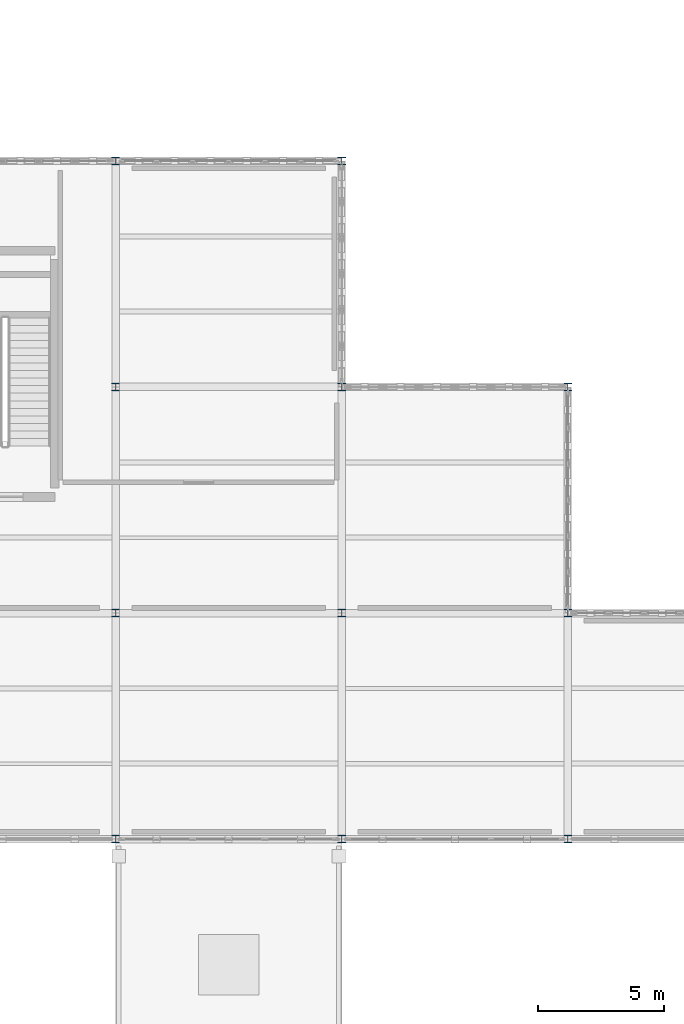
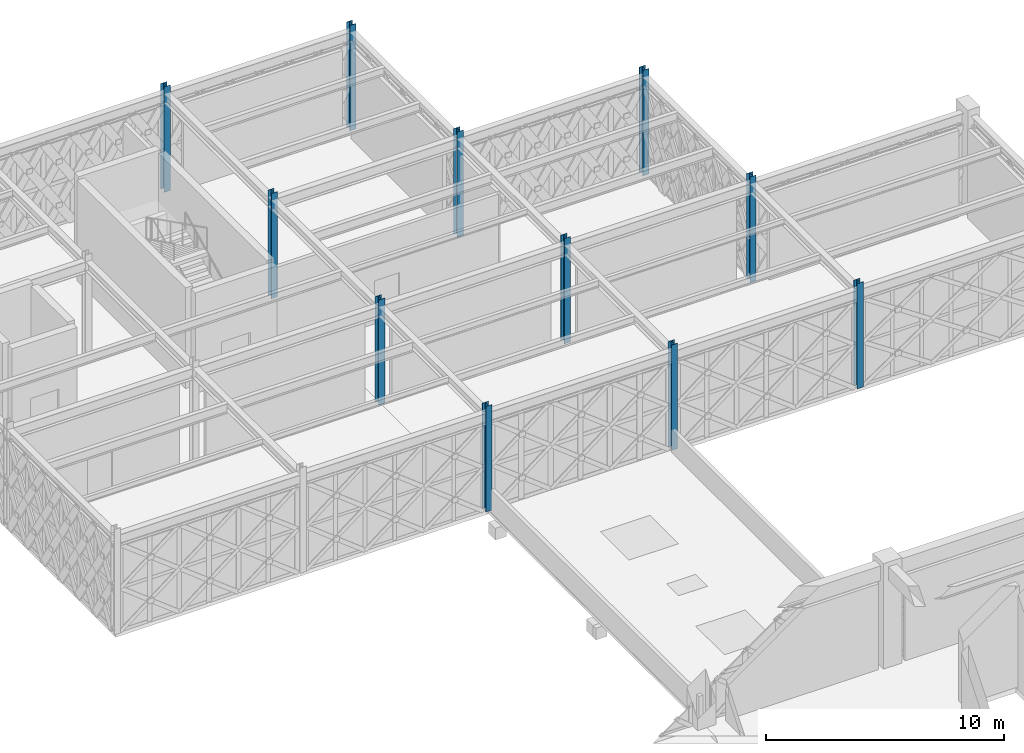
# One storey, part 8 of 155: 11 columns.
"""IFC4 building model written with IfcOpenShell, lengths in metres."""

from ifc_helpers import new_model, si_unit, direction, frame, origin, origin_2d, place, context, subcontext, project, spatial, i_section, extrude, material, material_profile, profile_set, type_object, element, save


model = new_model("IFC4")

# Units and contexts
model_context = context("Model", 3, precision=1e-05, world=origin(), true_north=direction((0.0, 1.0)))
body_context = subcontext(model_context, "Body", "Model", "MODEL_VIEW")
ifc_project = project(units=[si_unit("LENGTHUNIT", "METRE"), si_unit("AREAUNIT", "SQUARE_METRE"), si_unit("VOLUMEUNIT", "CUBIC_METRE"), si_unit("PLANEANGLEUNIT", "RADIAN"), si_unit("MASSUNIT", "GRAM", prefix="KILO")], contexts=[model_context])

# Site, building, storey
site_placement = place(None, origin())
site = spatial("IfcSite", under=ifc_project, at=site_placement, CompositionType="ELEMENT")
building_placement = place(site_placement, origin())
building = spatial("IfcBuilding", under=site, at=building_placement, Name="Haizhuo Lancet Aquarium", CompositionType="ELEMENT")
storey_placement = place(building_placement, frame((0.0, 0.0, 10.800048828125)))
storey = spatial("IfcBuildingStorey", under=building, at=storey_placement, Name="L02", CompositionType="ELEMENT", Elevation=10.800048828125)

# Columns
ifc_material = material(Name="Steel S355", Category="steel")
ifc_material_profile = material_profile(ifc_material, i_section(OverallWidth=0.300048828125, OverallDepth=0.300048828125, WebThickness=0.010009765625, FlangeThickness=0.014892578125, FilletRadius=0.01806640625, at=origin_2d()), Name="HW 300x300x10x15")
ifc_profile_set = profile_set([ifc_material_profile], Name="Steel S355")
column_type = type_object("IfcColumnType", Name="COL-ST-HW300", PredefinedType="COLUMN", material=ifc_profile_set)
for number, where, z_axis, x_axis, name in (
    (1, (54.0, 9.0, 0.0), (0.0, 0.0, 1.0), (1.0, 0.0, 0.0), "L02 column V7-COL-136"),
    (2, (54.0, 18.0, 0.0), (0.0, 0.0, 1.0), (1.0, 0.0, 0.0), "L02 column V7-COL-137"),
    (3, (54.0, 27.0, 0.0), (0.0, 0.0, 1.0), (1.0, 0.0, 0.0), "L02 column V7-COL-138"),
    (4, (54.0, 36.0, 0.0), (0.0, 0.0, 1.0), (1.0, 0.0, 0.0), "L02 column V7-COL-139"),
    (5, (63.0, 9.0, 0.0), (0.0, 0.0, 1.0), (1.0, 0.0, 0.0), "L02 column V7-COL-140"),
    (6, (63.0, 18.0, 0.0), (0.0, 0.0, 1.0), (1.0, 0.0, 0.0), "L02 column V7-COL-141"),
    (7, (63.0, 27.0, 0.0), (0.0, 0.0, 1.0), (1.0, 0.0, 0.0), "L02 column V7-COL-142"),
    (8, (63.0, 36.0, 0.0), (0.0, 0.0, 1.0), (1.0, 0.0, 0.0), "L02 column V7-COL-143"),
    (9, (72.0, 9.0, 0.0), (0.0, 0.0, 1.0), (1.0, 0.0, 0.0), "L02 column V7-COL-144"),
    (10, (72.0, 18.0, 0.0), (0.0, 0.0, 1.0), (1.0, 0.0, 0.0), "L02 column V7-COL-145"),
    (11, (72.0, 27.0, 0.0), (0.0, 0.0, 1.0), (1.0, 0.0, 0.0), "L02 column V7-COL-146"),
):
    element("IfcColumn", number, at=place(storey_placement, frame(where, z_axis=z_axis, x_axis=x_axis)), inside=storey, type_object=column_type, Name=name, PredefinedType="COLUMN", context=body_context, shape_type="SweptSolid", body=[
        extrude(i_section(OverallWidth=0.300048828125, OverallDepth=0.300048828125, WebThickness=0.010009765625, FlangeThickness=0.014892578125, FilletRadius=0.01806640625, at=origin_2d()), origin(), (0.0, 0.0, 1.0), 5.39990234375),
    ])

save(model, "model.ifc")
